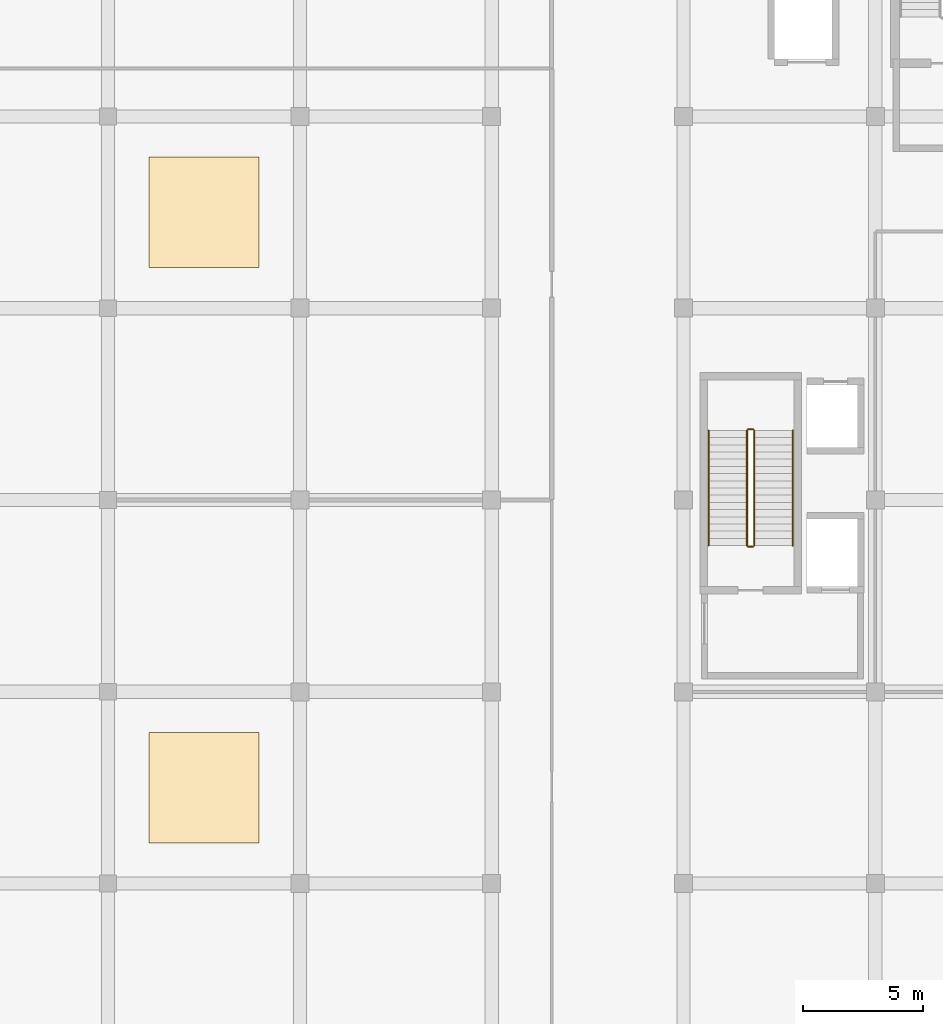
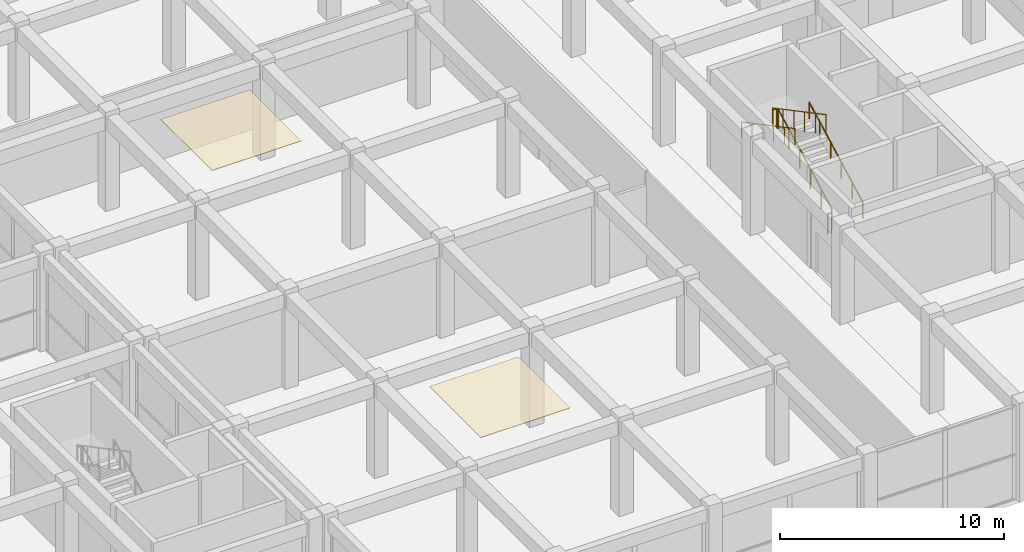
# One storey, part 67 of 69: 6 railings, 2 coverings.
"""IFC4 building model written with IfcOpenShell, lengths in metres."""

from ifc_helpers import new_model, si_unit, direction, frame, origin, origin_2d, place, context, subcontext, project, spatial, rectangle, circle, extrude, material, layer, layer_set, type_object, element, save


model = new_model("IFC4")

# Units and contexts
model_context = context("Model", 3, precision=1e-05, world=origin(), true_north=direction((0.0, 1.0)))
body_context = subcontext(model_context, "Body", "Model", "MODEL_VIEW")
ifc_project = project(units=[si_unit("LENGTHUNIT", "METRE"), si_unit("AREAUNIT", "SQUARE_METRE"), si_unit("VOLUMEUNIT", "CUBIC_METRE"), si_unit("PLANEANGLEUNIT", "RADIAN"), si_unit("MASSUNIT", "GRAM", prefix="KILO")], contexts=[model_context])

# Site, building, storey
site_placement = place(None, origin())
site = spatial("IfcSite", under=ifc_project, at=site_placement, CompositionType="ELEMENT")
building_placement = place(site_placement, origin())
building = spatial("IfcBuilding", under=site, at=building_placement, Name="Kenh Van Central Station", CompositionType="ELEMENT")
storey_placement = place(building_placement, frame((0.0, 0.0, 5.39990234375)))
storey = spatial("IfcBuildingStorey", under=building, at=storey_placement, Name="L01", CompositionType="ELEMENT", Elevation=5.39990234375)

# Coverings
ifc_material_1 = material(Name="Perforated acoustic mineral ceiling board")
ifc_layer = layer(ifc_material_1, 0.02490234375, Name="Perforated acoustic mineral ceiling board")
ifc_layer_set = layer_set([ifc_layer], Name="Perforated acoustic mineral ceiling board")
covering_type = type_object("IfcCoveringType", Name="COV-CEIL-ACOUST", PredefinedType="CEILING", material=ifc_layer_set)
for number, where, z_axis, x_axis, name in (
    (1, (132.0, 20.0, 5.1171875), (0.0, 0.0, 1.0), (1.0, 0.0, 0.0), "L01 acoustic ceiling panel 038"),
    (2, (132.0, 44.0, 5.1171875), (0.0, 0.0, 1.0), (1.0, 0.0, 0.0), "L01 acoustic ceiling panel 039"),
):
    element("IfcCovering", number, at=place(storey_placement, frame(where, z_axis=z_axis, x_axis=x_axis)), inside=storey, type_object=covering_type, Name=name, PredefinedType="CEILING", context=body_context, shape_type="SweptSolid", body=[
        extrude(rectangle(XDim=4.60009765625, YDim=4.60009765625, at=origin_2d()), origin(), (0.0, 0.0, 1.0), 0.02490234375),
    ])

# Railings
ifc_material_2 = material(Name="Champagne anodised aluminium", Category="aluminium")
railing_type_1 = type_object("IfcRailingType", Name="RAIL-CORE-GRD110", PredefinedType="GUARDRAIL", material=ifc_material_2)
railing_1_placement = place(storey_placement, frame((154.949951171875, 30.10009765625, 0.158935546875)))
element("IfcRailing", 3, at=railing_1_placement, inside=storey, type_object=railing_type_1, Name="L01 ST-09 stair guard 1", PredefinedType="GUARDRAIL", context=body_context, shape_type="SweptSolid", body=[
    extrude(circle(Radius=0.02392578125, at=origin_2d()), frame((0.0, 0.0, 1.076171875), z_axis=(0.0, 0.883773701108, 0.467914570439), x_axis=(-1.0, 0.0, 0.0)), (0.0, 0.0, 1.0), 5.43115234375),
    extrude(circle(Radius=0.02099609375, at=origin_2d()), origin(), (0.0, 0.0, 1.0), 1.052001953125),
    extrude(circle(Radius=0.02099609375, at=origin_2d()), frame((0.0, 0.9599609375, 0.50830078125)), (0.0, 0.0, 1.0), 1.052001953125),
    extrude(circle(Radius=0.02099609375, at=origin_2d()), frame((0.0, 1.919921875, 1.0166015625)), (0.0, 0.0, 1.0), 1.052001953125),
    extrude(circle(Radius=0.02099609375, at=origin_2d()), frame((0.0, 2.8798828125, 1.524658203125)), (0.0, 0.0, 1.0), 1.052001953125),
    extrude(circle(Radius=0.02099609375, at=origin_2d()), frame((0.0, 3.83984375, 2.032958984375)), (0.0, 0.0, 1.0), 1.052001953125),
    extrude(circle(Radius=0.02099609375, at=origin_2d()), frame((0.0, 4.7998046875, 2.541259765625)), (0.0, 0.0, 1.0), 1.052001953125),
])
railing_2_placement = place(storey_placement, frame((154.89990234375, 34.949951171875, 2.7001953125)))
element("IfcRailing", 4, at=railing_2_placement, inside=storey, type_object=railing_type_1, Name="L01 ST-09 stair guard 2", PredefinedType="GUARDRAIL", context=body_context, shape_type="SweptSolid", body=[
    extrude(circle(Radius=0.02392578125, at=origin_2d()), frame((0.0, 0.0, 1.076171875), z_axis=(-1.0, 0.0, 0.0), x_axis=(0.0, -1.0, 0.0)), (0.0, 0.0, 1.0), 0.199951171875),
    extrude(circle(Radius=0.02099609375, at=origin_2d()), origin(), (0.0, 0.0, 1.0), 1.052001953125),
    extrude(circle(Radius=0.02099609375, at=origin_2d()), frame((-0.199951171875, 0.0, 0.0)), (0.0, 0.0, 1.0), 1.052001953125),
])
railing_3_placement = place(storey_placement, frame((154.64990234375, 34.89990234375, 2.85888671875)))
element("IfcRailing", 5, at=railing_3_placement, inside=storey, type_object=railing_type_1, Name="L01 ST-09 stair guard 3", PredefinedType="GUARDRAIL", context=body_context, shape_type="SweptSolid", body=[
    extrude(circle(Radius=0.02392578125, at=origin_2d()), frame((0.0, 0.0, 1.076171875), z_axis=(0.0, -0.883773701108, 0.467914570439), x_axis=(1.0, 0.0, 0.0)), (0.0, 0.0, 1.0), 5.43115234375),
    extrude(circle(Radius=0.02099609375, at=origin_2d()), origin(), (0.0, 0.0, 1.0), 1.052001953125),
    extrude(circle(Radius=0.02099609375, at=origin_2d()), frame((0.0, -0.9599609375, 0.50830078125)), (0.0, 0.0, 1.0), 1.052001953125),
    extrude(circle(Radius=0.02099609375, at=origin_2d()), frame((0.0, -1.919921875, 1.0166015625)), (0.0, 0.0, 1.0), 1.052001953125),
    extrude(circle(Radius=0.02099609375, at=origin_2d()), frame((0.0, -2.8798828125, 1.524658203125)), (0.0, 0.0, 1.0), 1.052001953125),
    extrude(circle(Radius=0.02099609375, at=origin_2d()), frame((0.0, -3.83984375, 2.032958984375)), (0.0, 0.0, 1.0), 1.052001953125),
    extrude(circle(Radius=0.02099609375, at=origin_2d()), frame((0.0, -4.7998046875, 2.541259765625)), (0.0, 0.0, 1.0), 1.052001953125),
])
railing_4_placement = place(storey_placement, frame((154.89990234375, 30.050048828125, 0.0)))
element("IfcRailing", 6, at=railing_4_placement, inside=storey, type_object=railing_type_1, Name="L01 ST-09 stair guard 4", PredefinedType="GUARDRAIL", context=body_context, shape_type="SweptSolid", body=[
    extrude(circle(Radius=0.02392578125, at=origin_2d()), frame((0.0, 0.0, 1.076171875), z_axis=(-1.0, 0.0, 0.0), x_axis=(0.0, -1.0, 0.0)), (0.0, 0.0, 1.0), 0.199951171875),
    extrude(circle(Radius=0.02099609375, at=origin_2d()), origin(), (0.0, 0.0, 1.0), 1.052001953125),
    extrude(circle(Radius=0.02099609375, at=origin_2d()), frame((-0.199951171875, 0.0, 0.0)), (0.0, 0.0, 1.0), 1.052001953125),
])
railing_type_2 = type_object("IfcRailingType", Name="RAIL-CORE-HND90", PredefinedType="HANDRAIL", material=ifc_material_2)
railing_5_placement = place(storey_placement, frame((156.550048828125, 30.10009765625, 0.158935546875)))
element("IfcRailing", 7, at=railing_5_placement, inside=storey, type_object=railing_type_2, Name="L01 ST-09 stair handrail 1", PredefinedType="HANDRAIL", context=body_context, shape_type="SweptSolid", body=[
    extrude(circle(Radius=0.02392578125, at=origin_2d()), frame((0.0, 0.0, 0.8759765625), z_axis=(0.0, 0.883773701108, 0.467914570439), x_axis=(-1.0, 0.0, 0.0)), (0.0, 0.0, 1.0), 5.43115234375),
    extrude(circle(Radius=0.02099609375, at=origin_2d()), origin(), (0.0, 0.0, 1.0), 0.851806640625),
    extrude(circle(Radius=0.02099609375, at=origin_2d()), frame((0.0, 0.9599609375, 0.50830078125)), (0.0, 0.0, 1.0), 0.851806640625),
    extrude(circle(Radius=0.02099609375, at=origin_2d()), frame((0.0, 1.919921875, 1.0166015625)), (0.0, 0.0, 1.0), 0.851806640625),
    extrude(circle(Radius=0.02099609375, at=origin_2d()), frame((0.0, 2.8798828125, 1.524658203125)), (0.0, 0.0, 1.0), 0.851806640625),
    extrude(circle(Radius=0.02099609375, at=origin_2d()), frame((0.0, 3.83984375, 2.032958984375)), (0.0, 0.0, 1.0), 0.851806640625),
    extrude(circle(Radius=0.02099609375, at=origin_2d()), frame((0.0, 4.7998046875, 2.541259765625)), (0.0, 0.0, 1.0), 0.851806640625),
])
railing_6_placement = place(storey_placement, frame((153.050048828125, 34.89990234375, 2.85888671875)))
element("IfcRailing", 8, at=railing_6_placement, inside=storey, type_object=railing_type_2, Name="L01 ST-09 stair handrail 2", PredefinedType="HANDRAIL", context=body_context, shape_type="SweptSolid", body=[
    extrude(circle(Radius=0.02392578125, at=origin_2d()), frame((0.0, 0.0, 0.8759765625), z_axis=(0.0, -0.883773701108, 0.467914570439), x_axis=(1.0, 0.0, 0.0)), (0.0, 0.0, 1.0), 5.43115234375),
    extrude(circle(Radius=0.02099609375, at=origin_2d()), origin(), (0.0, 0.0, 1.0), 0.851806640625),
    extrude(circle(Radius=0.02099609375, at=origin_2d()), frame((0.0, -0.9599609375, 0.50830078125)), (0.0, 0.0, 1.0), 0.851806640625),
    extrude(circle(Radius=0.02099609375, at=origin_2d()), frame((0.0, -1.919921875, 1.0166015625)), (0.0, 0.0, 1.0), 0.851806640625),
    extrude(circle(Radius=0.02099609375, at=origin_2d()), frame((0.0, -2.8798828125, 1.524658203125)), (0.0, 0.0, 1.0), 0.851806640625),
    extrude(circle(Radius=0.02099609375, at=origin_2d()), frame((0.0, -3.83984375, 2.032958984375)), (0.0, 0.0, 1.0), 0.851806640625),
    extrude(circle(Radius=0.02099609375, at=origin_2d()), frame((0.0, -4.7998046875, 2.541259765625)), (0.0, 0.0, 1.0), 0.851806640625),
])

save(model, "model.ifc")
